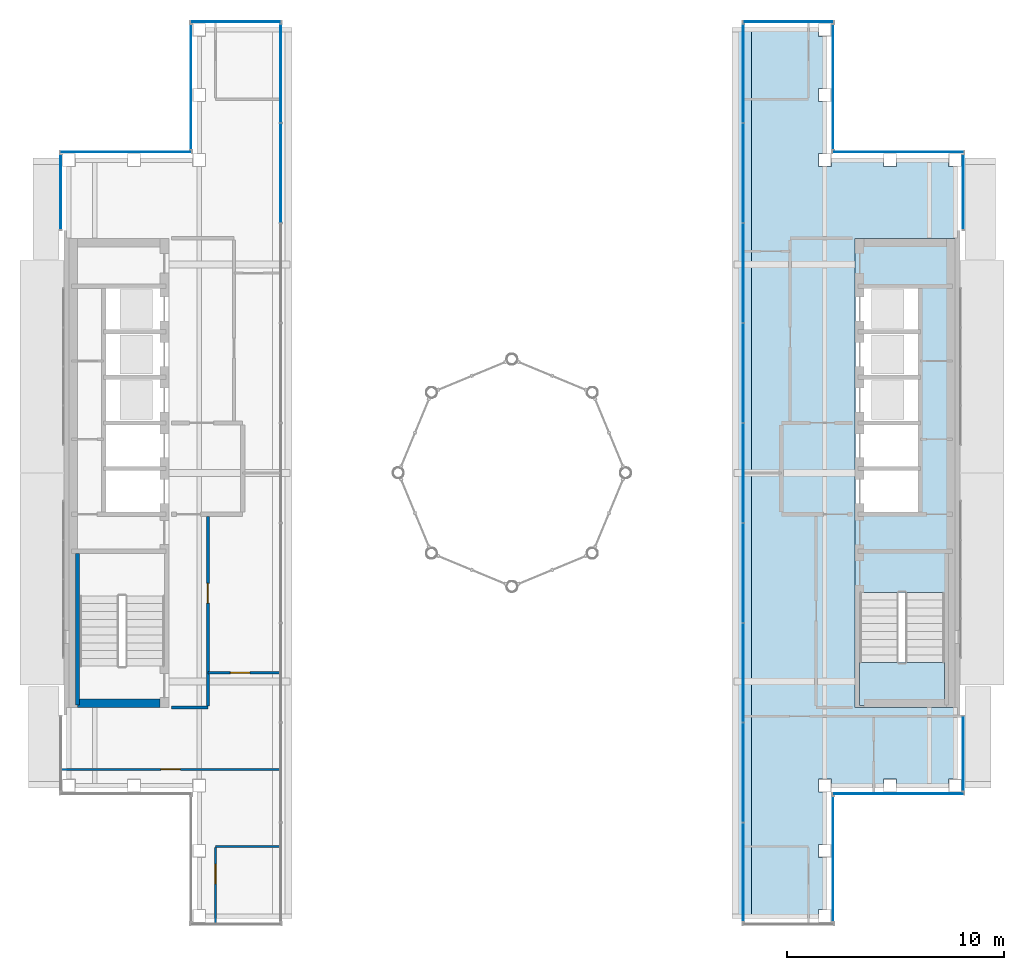
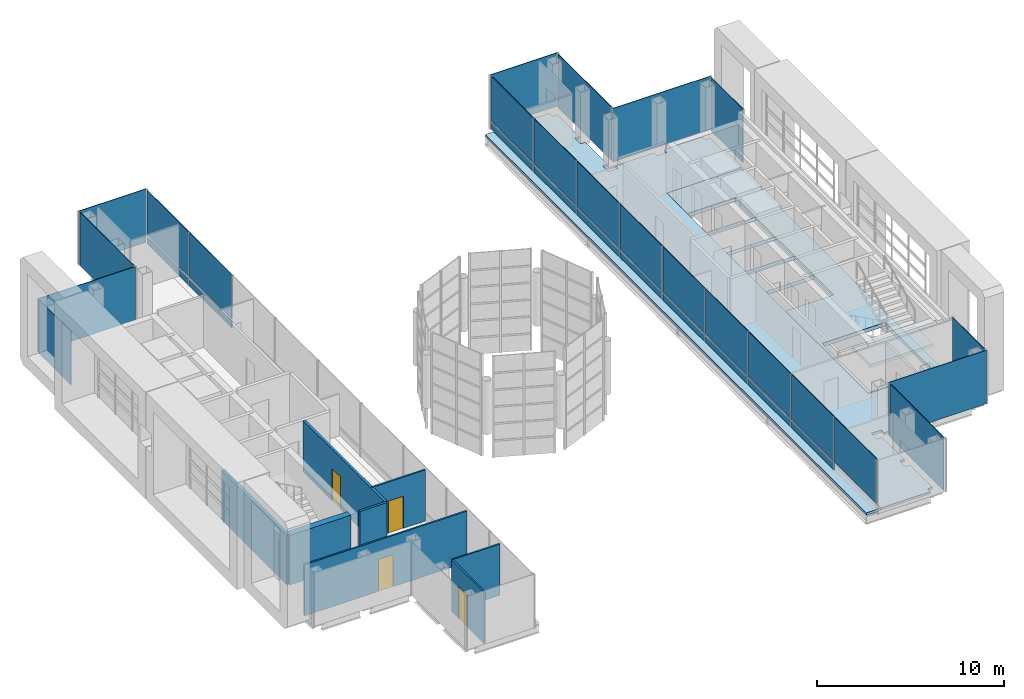
# One storey, part 12 of 21: 32 plates, 8 walls, 4 doors, 4 slabs, 4 openings, 14 elements without a shape of their own.
"""IFC4 building model written with IfcOpenShell, lengths in metres."""

from ifc_helpers import new_model, si_unit, direction, frame, frame_2d, origin, origin_2d, place, context, subcontext, project, spatial, polyline, rectangle, outline, extrude, material, layer, layer_set, type_object, element, fill, aggregate, save


model = new_model("IFC4")

# Units and contexts
model_context = context("Model", 3, precision=1e-05, world=origin(), true_north=direction((0.0, 1.0)))
body_context = subcontext(model_context, "Body", "Model", "MODEL_VIEW")
ifc_project = project(units=[si_unit("LENGTHUNIT", "METRE"), si_unit("AREAUNIT", "SQUARE_METRE"), si_unit("VOLUMEUNIT", "CUBIC_METRE"), si_unit("PLANEANGLEUNIT", "RADIAN"), si_unit("MASSUNIT", "GRAM", prefix="KILO")], contexts=[model_context])

# Site, building, storey
site_placement = place(None, origin())
site = spatial("IfcSite", under=ifc_project, at=site_placement, CompositionType="ELEMENT")
building_placement = place(site_placement, origin())
building = spatial("IfcBuilding", under=site, at=building_placement, Name="Cobrizo Arcos Hotel Tower", CompositionType="ELEMENT")
storey_placement = place(building_placement, frame((0.0, 0.0, 283.0)))
storey = spatial("IfcBuildingStorey", under=building, at=storey_placement, Name="L75", CompositionType="ELEMENT", Elevation=283.0)

# Curtain wall, plate
ifc_material_1 = material(Name="Aluminium 6063-T6 anodised bronze", Category="aluminium")
curtain_wall_type_1 = type_object("IfcCurtainWallType", Name="CW-A guest facade", PredefinedType="NOTDEFINED", material=ifc_material_1)
curtain_wall_1_placement = place(storey_placement, origin())
curtain_wall_1 = element("IfcCurtainWall", 1, at=curtain_wall_1_placement, inside=storey, type_object=curtain_wall_type_1, Name="CW-A L75 N face", PredefinedType="NOTDEFINED")
ifc_material_2 = material(Name="Aluminium composite panel pale metal", Category="aluminium")
ifc_layer_1 = layer(ifc_material_2, 0.0400390625)
ifc_layer_set_1 = layer_set([ifc_layer_1], Name="CW-A spandrel panel")
plate_type_1 = type_object("IfcPlateType", Name="CW-A spandrel panel", PredefinedType="CURTAIN_PANEL", material=ifc_layer_set_1)
plate_1_placement = place(storey_placement, frame((12.712890625, 20.77490234375, 0.0), z_axis=(0.0, 0.0, 1.0), x_axis=(-1.0, 0.0, 0.0)))
plate_1 = element("IfcPlate", 2, at=plate_1_placement, type_object=plate_type_1, Name="CW-A spandrel panel 2358", PredefinedType="CURTAIN_PANEL", context=body_context, shape_type="SweptSolid", body=[
    extrude(rectangle(XDim=4.154052734375, YDim=0.0400390625, at=origin_2d()), origin(), (0.0, 0.0, 1.0), 3.5),
])
aggregate(curtain_wall_1, [plate_1])

curtain_wall_2_placement = place(storey_placement, origin())
curtain_wall_2 = element("IfcCurtainWall", 3, at=curtain_wall_2_placement, inside=storey, type_object=curtain_wall_type_1, Name="CW-A L75 E face", PredefinedType="NOTDEFINED")
plate_2_placement = place(storey_placement, frame((14.77490234375, -17.77490234375, 0.0), z_axis=(0.0, 0.0, 1.0), x_axis=(0.0, 1.0, 0.0)))
plate_2 = element("IfcPlate", 4, at=plate_2_placement, type_object=plate_type_1, Name="CW-A spandrel panel 2369", PredefinedType="CURTAIN_PANEL", context=body_context, shape_type="SweptSolid", body=[
    extrude(rectangle(XDim=5.72998046875, YDim=0.0400390625, at=origin_2d()), origin(), (0.0, 0.0, 1.0), 3.5),
])
aggregate(curtain_wall_2, [plate_2])

curtain_wall_3_placement = place(storey_placement, origin())
curtain_wall_3 = element("IfcCurtainWall", 5, at=curtain_wall_3_placement, inside=storey, type_object=curtain_wall_type_1, Name="CW-A L75 S face", PredefinedType="NOTDEFINED")
plate_3_placement = place(storey_placement, frame((17.77490234375, -14.77490234375, 0.0), z_axis=(0.0, 0.0, 1.0), x_axis=(1.0, 0.0, 0.0)))
plate_3 = element("IfcPlate", 6, at=plate_3_placement, type_object=plate_type_1, Name="CW-A spandrel panel 2370", PredefinedType="CURTAIN_PANEL", context=body_context, shape_type="SweptSolid", body=[
    extrude(rectangle(XDim=6.030029296875, YDim=0.0400390625, at=origin_2d()), origin(), (0.0, 0.0, 1.0), 3.5),
])
aggregate(curtain_wall_3, [plate_3])

curtain_wall_4_placement = place(storey_placement, origin())
curtain_wall_4 = element("IfcCurtainWall", 7, at=curtain_wall_4_placement, inside=storey, type_object=curtain_wall_type_1, Name="CW-A L75 E face", PredefinedType="NOTDEFINED")
plate_4_placement = place(storey_placement, frame((20.77490234375, -12.925048828125, 0.0), z_axis=(0.0, 0.0, 1.0), x_axis=(0.0, 1.0, 0.0)))
plate_4 = element("IfcPlate", 8, at=plate_4_placement, type_object=plate_type_1, Name="CW-A spandrel panel 2371", PredefinedType="CURTAIN_PANEL", context=body_context, shape_type="SweptSolid", body=[
    extrude(rectangle(XDim=3.429931640625, YDim=0.0400390625, at=origin_2d()), origin(), (0.0, 0.0, 1.0), 3.5),
])
aggregate(curtain_wall_4, [plate_4])

curtain_wall_5_placement = place(storey_placement, origin())
curtain_wall_5 = element("IfcCurtainWall", 9, at=curtain_wall_5_placement, inside=storey, type_object=curtain_wall_type_1, Name="CW-A L75 E face", PredefinedType="NOTDEFINED")
plate_5_placement = place(storey_placement, frame((20.77490234375, 12.925048828125, 0.0), z_axis=(0.0, 0.0, 1.0), x_axis=(0.0, 1.0, 0.0)))
plate_5 = element("IfcPlate", 10, at=plate_5_placement, type_object=plate_type_1, Name="CW-A spandrel panel 2372", PredefinedType="CURTAIN_PANEL", context=body_context, shape_type="SweptSolid", body=[
    extrude(rectangle(XDim=3.429931640625, YDim=0.0400390625, at=origin_2d()), origin(), (0.0, 0.0, 1.0), 3.5),
])
aggregate(curtain_wall_5, [plate_5])

curtain_wall_6_placement = place(storey_placement, origin())
curtain_wall_6 = element("IfcCurtainWall", 11, at=curtain_wall_6_placement, inside=storey, type_object=curtain_wall_type_1, Name="CW-A L75 N face", PredefinedType="NOTDEFINED")
plate_6_placement = place(storey_placement, frame((17.77490234375, 14.77490234375, 0.0), z_axis=(0.0, 0.0, 1.0), x_axis=(-1.0, 0.0, 0.0)))
plate_6 = element("IfcPlate", 12, at=plate_6_placement, type_object=plate_type_1, Name="CW-A spandrel panel 2373", PredefinedType="CURTAIN_PANEL", context=body_context, shape_type="SweptSolid", body=[
    extrude(rectangle(XDim=6.030029296875, YDim=0.0400390625, at=origin_2d()), origin(), (0.0, 0.0, 1.0), 3.5),
])
aggregate(curtain_wall_6, [plate_6])

curtain_wall_7_placement = place(storey_placement, origin())
curtain_wall_7 = element("IfcCurtainWall", 13, at=curtain_wall_7_placement, inside=storey, type_object=curtain_wall_type_1, Name="CW-A L75 E face", PredefinedType="NOTDEFINED")
plate_7_placement = place(storey_placement, frame((14.77490234375, 17.77490234375, 0.0), z_axis=(0.0, 0.0, 1.0), x_axis=(0.0, 1.0, 0.0)))
plate_7 = element("IfcPlate", 14, at=plate_7_placement, type_object=plate_type_1, Name="CW-A spandrel panel 2374", PredefinedType="CURTAIN_PANEL", context=body_context, shape_type="SweptSolid", body=[
    extrude(rectangle(XDim=5.72998046875, YDim=0.0400390625, at=origin_2d()), origin(), (0.0, 0.0, 1.0), 3.5),
])
aggregate(curtain_wall_7, [plate_7])

curtain_wall_8_placement = place(storey_placement, origin())
curtain_wall_8 = element("IfcCurtainWall", 15, at=curtain_wall_8_placement, inside=storey, type_object=curtain_wall_type_1, Name="CW-A L75 N face", PredefinedType="NOTDEFINED")
plate_8_placement = place(storey_placement, frame((-12.712890625, 20.77490234375, 0.0), z_axis=(0.0, 0.0, 1.0), x_axis=(-1.0, 0.0, 0.0)))
plate_8 = element("IfcPlate", 16, at=plate_8_placement, type_object=plate_type_1, Name="CW-A spandrel panel 2385", PredefinedType="CURTAIN_PANEL", context=body_context, shape_type="SweptSolid", body=[
    extrude(rectangle(XDim=4.154052734375, YDim=0.0400390625, at=origin_2d()), origin(), (0.0, 0.0, 1.0), 3.5),
])
aggregate(curtain_wall_8, [plate_8])

curtain_wall_9_placement = place(storey_placement, origin())
curtain_wall_9 = element("IfcCurtainWall", 17, at=curtain_wall_9_placement, inside=storey, type_object=curtain_wall_type_1, Name="CW-A L75 W face", PredefinedType="NOTDEFINED")
plate_9_placement = place(storey_placement, frame((-14.77490234375, 17.77490234375, 0.0), z_axis=(0.0, 0.0, 1.0), x_axis=(0.0, -1.0, 0.0)))
plate_9 = element("IfcPlate", 18, at=plate_9_placement, type_object=plate_type_1, Name="CW-A spandrel panel 2386", PredefinedType="CURTAIN_PANEL", context=body_context, shape_type="SweptSolid", body=[
    extrude(rectangle(XDim=5.72998046875, YDim=0.0400390625, at=origin_2d()), origin(), (0.0, 0.0, 1.0), 3.5),
])
aggregate(curtain_wall_9, [plate_9])

curtain_wall_10_placement = place(storey_placement, origin())
curtain_wall_10 = element("IfcCurtainWall", 19, at=curtain_wall_10_placement, inside=storey, type_object=curtain_wall_type_1, Name="CW-A L75 N face", PredefinedType="NOTDEFINED")
plate_10_placement = place(storey_placement, frame((-17.77490234375, 14.77490234375, 0.0), z_axis=(0.0, 0.0, 1.0), x_axis=(-1.0, 0.0, 0.0)))
plate_10 = element("IfcPlate", 20, at=plate_10_placement, type_object=plate_type_1, Name="CW-A spandrel panel 2387", PredefinedType="CURTAIN_PANEL", context=body_context, shape_type="SweptSolid", body=[
    extrude(rectangle(XDim=6.030029296875, YDim=0.0400390625, at=origin_2d()), origin(), (0.0, 0.0, 1.0), 3.5),
])
aggregate(curtain_wall_10, [plate_10])

curtain_wall_11_placement = place(storey_placement, origin())
curtain_wall_11 = element("IfcCurtainWall", 21, at=curtain_wall_11_placement, inside=storey, type_object=curtain_wall_type_1, Name="CW-A L75 W face", PredefinedType="NOTDEFINED")
plate_11_placement = place(storey_placement, frame((-20.77490234375, 12.925048828125, 0.0), z_axis=(0.0, 0.0, 1.0), x_axis=(0.0, -1.0, 0.0)))
plate_11 = element("IfcPlate", 22, at=plate_11_placement, type_object=plate_type_1, Name="CW-A spandrel panel 2388", PredefinedType="CURTAIN_PANEL", context=body_context, shape_type="SweptSolid", body=[
    extrude(rectangle(XDim=3.429931640625, YDim=0.0400390625, at=origin_2d()), origin(), (0.0, 0.0, 1.0), 3.5),
])
aggregate(curtain_wall_11, [plate_11])

# Curtain wall, plates
curtain_wall_type_2 = type_object("IfcCurtainWallType", Name="CW-C arch infill and crown glazing", PredefinedType="NOTDEFINED", material=ifc_material_1)
curtain_wall_12_placement = place(storey_placement, origin())
curtain_wall_12 = element("IfcCurtainWall", 23, at=curtain_wall_12_placement, inside=storey, type_object=curtain_wall_type_2, Name="CW-C L75 W face", PredefinedType="NOTDEFINED")
ifc_material_3 = material(Name="Glass clear laminated low-e", Category="glass")
ifc_layer_2 = layer(ifc_material_3, 0.0400390625)
ifc_layer_set_2 = layer_set([ifc_layer_2], Name="CW-C glass panel")
plate_type_2 = type_object("IfcPlateType", Name="CW-C glass panel", PredefinedType="CURTAIN_PANEL", material=ifc_layer_set_2)
plate_12_placement = place(storey_placement, frame((10.65087890625, 18.382568359375, 0.0), z_axis=(0.0, 0.0, 1.0), x_axis=(0.0, -1.0, 0.0)))
plate_12 = element("IfcPlate", 24, at=plate_12_placement, type_object=plate_type_2, Name="CW-C glass panel 2359", PredefinedType="CURTAIN_PANEL", context=body_context, shape_type="SweptSolid", body=[
    extrude(rectangle(XDim=4.4951171875, YDim=0.0400390625, at=origin_2d()), origin(), (0.0, 0.0, 1.0), 0.429931640625),
])
plate_13_placement = place(storey_placement, frame((10.65087890625, 18.382568359375, 0.56982421875), z_axis=(0.0, 0.0, 1.0), x_axis=(0.0, -1.0, 0.0)))
plate_13 = element("IfcPlate", 25, at=plate_13_placement, type_object=plate_type_2, Name="CW-C glass panel 2359", PredefinedType="CURTAIN_PANEL", context=body_context, shape_type="SweptSolid", body=[
    extrude(rectangle(XDim=4.4951171875, YDim=0.0400390625, at=origin_2d()), origin(), (0.0, 0.0, 1.0), 2.929931640625),
])
plate_14_placement = place(storey_placement, frame((10.65087890625, 13.800048828125, 0.0), z_axis=(0.0, 0.0, 1.0), x_axis=(0.0, -1.0, 0.0)))
plate_14 = element("IfcPlate", 26, at=plate_14_placement, type_object=plate_type_2, Name="CW-C glass panel 2360", PredefinedType="CURTAIN_PANEL", context=body_context, shape_type="SweptSolid", body=[
    extrude(rectangle(XDim=4.530029296875, YDim=0.0400390625, at=origin_2d()), origin(), (0.0, 0.0, 1.0), 0.429931640625),
])
plate_15_placement = place(storey_placement, frame((10.65087890625, 13.800048828125, 0.56982421875), z_axis=(0.0, 0.0, 1.0), x_axis=(0.0, -1.0, 0.0)))
plate_15 = element("IfcPlate", 27, at=plate_15_placement, type_object=plate_type_2, Name="CW-C glass panel 2360", PredefinedType="CURTAIN_PANEL", context=body_context, shape_type="SweptSolid", body=[
    extrude(rectangle(XDim=4.530029296875, YDim=0.0400390625, at=origin_2d()), origin(), (0.0, 0.0, 1.0), 2.929931640625),
])
plate_16_placement = place(storey_placement, frame((10.65087890625, 9.199951171875, 0.0), z_axis=(0.0, 0.0, 1.0), x_axis=(0.0, -1.0, 0.0)))
plate_16 = element("IfcPlate", 28, at=plate_16_placement, type_object=plate_type_2, Name="CW-C glass panel 2361", PredefinedType="CURTAIN_PANEL", context=body_context, shape_type="SweptSolid", body=[
    extrude(rectangle(XDim=4.530029296875, YDim=0.0400390625, at=origin_2d()), origin(), (0.0, 0.0, 1.0), 0.429931640625),
])
plate_17_placement = place(storey_placement, frame((10.65087890625, 9.199951171875, 0.56982421875), z_axis=(0.0, 0.0, 1.0), x_axis=(0.0, -1.0, 0.0)))
plate_17 = element("IfcPlate", 29, at=plate_17_placement, type_object=plate_type_2, Name="CW-C glass panel 2361", PredefinedType="CURTAIN_PANEL", context=body_context, shape_type="SweptSolid", body=[
    extrude(rectangle(XDim=4.530029296875, YDim=0.0400390625, at=origin_2d()), origin(), (0.0, 0.0, 1.0), 2.929931640625),
])
plate_18_placement = place(storey_placement, frame((10.65087890625, 4.60009765625, 0.0), z_axis=(0.0, 0.0, 1.0), x_axis=(0.0, -1.0, 0.0)))
plate_18 = element("IfcPlate", 30, at=plate_18_placement, type_object=plate_type_2, Name="CW-C glass panel 2362", PredefinedType="CURTAIN_PANEL", context=body_context, shape_type="SweptSolid", body=[
    extrude(rectangle(XDim=4.530029296875, YDim=0.0400390625, at=origin_2d()), origin(), (0.0, 0.0, 1.0), 0.429931640625),
])
plate_19_placement = place(storey_placement, frame((10.65087890625, 4.60009765625, 0.56982421875), z_axis=(0.0, 0.0, 1.0), x_axis=(0.0, -1.0, 0.0)))
plate_19 = element("IfcPlate", 31, at=plate_19_placement, type_object=plate_type_2, Name="CW-C glass panel 2362", PredefinedType="CURTAIN_PANEL", context=body_context, shape_type="SweptSolid", body=[
    extrude(rectangle(XDim=4.530029296875, YDim=0.0400390625, at=origin_2d()), origin(), (0.0, 0.0, 1.0), 2.929931640625),
])
plate_20_placement = place(storey_placement, frame((10.65087890625, 0.0, 0.0), z_axis=(0.0, 0.0, 1.0), x_axis=(0.0, -1.0, 0.0)))
plate_20 = element("IfcPlate", 32, at=plate_20_placement, type_object=plate_type_2, Name="CW-C glass panel 2363", PredefinedType="CURTAIN_PANEL", context=body_context, shape_type="SweptSolid", body=[
    extrude(rectangle(XDim=4.530029296875, YDim=0.0400390625, at=origin_2d()), origin(), (0.0, 0.0, 1.0), 0.429931640625),
])
plate_21_placement = place(storey_placement, frame((10.65087890625, 0.0, 0.56982421875), z_axis=(0.0, 0.0, 1.0), x_axis=(0.0, -1.0, 0.0)))
plate_21 = element("IfcPlate", 33, at=plate_21_placement, type_object=plate_type_2, Name="CW-C glass panel 2363", PredefinedType="CURTAIN_PANEL", context=body_context, shape_type="SweptSolid", body=[
    extrude(rectangle(XDim=4.530029296875, YDim=0.0400390625, at=origin_2d()), origin(), (0.0, 0.0, 1.0), 2.929931640625),
])
plate_22_placement = place(storey_placement, frame((10.65087890625, -4.60009765625, 0.0), z_axis=(0.0, 0.0, 1.0), x_axis=(0.0, -1.0, 0.0)))
plate_22 = element("IfcPlate", 34, at=plate_22_placement, type_object=plate_type_2, Name="CW-C glass panel 2364", PredefinedType="CURTAIN_PANEL", context=body_context, shape_type="SweptSolid", body=[
    extrude(rectangle(XDim=4.530029296875, YDim=0.0400390625, at=origin_2d()), origin(), (0.0, 0.0, 1.0), 0.429931640625),
])
plate_23_placement = place(storey_placement, frame((10.65087890625, -4.60009765625, 0.56982421875), z_axis=(0.0, 0.0, 1.0), x_axis=(0.0, -1.0, 0.0)))
plate_23 = element("IfcPlate", 35, at=plate_23_placement, type_object=plate_type_2, Name="CW-C glass panel 2364", PredefinedType="CURTAIN_PANEL", context=body_context, shape_type="SweptSolid", body=[
    extrude(rectangle(XDim=4.530029296875, YDim=0.0400390625, at=origin_2d()), origin(), (0.0, 0.0, 1.0), 2.929931640625),
])
plate_24_placement = place(storey_placement, frame((10.65087890625, -9.199951171875, 0.0), z_axis=(0.0, 0.0, 1.0), x_axis=(0.0, -1.0, 0.0)))
plate_24 = element("IfcPlate", 36, at=plate_24_placement, type_object=plate_type_2, Name="CW-C glass panel 2365", PredefinedType="CURTAIN_PANEL", context=body_context, shape_type="SweptSolid", body=[
    extrude(rectangle(XDim=4.530029296875, YDim=0.0400390625, at=origin_2d()), origin(), (0.0, 0.0, 1.0), 0.429931640625),
])
plate_25_placement = place(storey_placement, frame((10.65087890625, -9.199951171875, 0.56982421875), z_axis=(0.0, 0.0, 1.0), x_axis=(0.0, -1.0, 0.0)))
plate_25 = element("IfcPlate", 37, at=plate_25_placement, type_object=plate_type_2, Name="CW-C glass panel 2365", PredefinedType="CURTAIN_PANEL", context=body_context, shape_type="SweptSolid", body=[
    extrude(rectangle(XDim=4.530029296875, YDim=0.0400390625, at=origin_2d()), origin(), (0.0, 0.0, 1.0), 2.929931640625),
])
plate_26_placement = place(storey_placement, frame((10.65087890625, -13.800048828125, 0.0), z_axis=(0.0, 0.0, 1.0), x_axis=(0.0, -1.0, 0.0)))
plate_26 = element("IfcPlate", 38, at=plate_26_placement, type_object=plate_type_2, Name="CW-C glass panel 2366", PredefinedType="CURTAIN_PANEL", context=body_context, shape_type="SweptSolid", body=[
    extrude(rectangle(XDim=4.530029296875, YDim=0.0400390625, at=origin_2d()), origin(), (0.0, 0.0, 1.0), 0.429931640625),
])
plate_27_placement = place(storey_placement, frame((10.65087890625, -13.800048828125, 0.56982421875), z_axis=(0.0, 0.0, 1.0), x_axis=(0.0, -1.0, 0.0)))
plate_27 = element("IfcPlate", 39, at=plate_27_placement, type_object=plate_type_2, Name="CW-C glass panel 2366", PredefinedType="CURTAIN_PANEL", context=body_context, shape_type="SweptSolid", body=[
    extrude(rectangle(XDim=4.530029296875, YDim=0.0400390625, at=origin_2d()), origin(), (0.0, 0.0, 1.0), 2.929931640625),
])
plate_28_placement = place(storey_placement, frame((10.65087890625, -18.382568359375, 0.56982421875), z_axis=(0.0, 0.0, 1.0), x_axis=(0.0, -1.0, 0.0)))
plate_28 = element("IfcPlate", 40, at=plate_28_placement, type_object=plate_type_2, Name="CW-C glass panel 2367", PredefinedType="CURTAIN_PANEL", context=body_context, shape_type="SweptSolid", body=[
    extrude(rectangle(XDim=4.4951171875, YDim=0.0400390625, at=origin_2d()), origin(), (0.0, 0.0, 1.0), 2.929931640625),
])
aggregate(curtain_wall_12, [plate_12, plate_13, plate_14, plate_15, plate_16, plate_17, plate_18, plate_19, plate_20, plate_21, plate_22, plate_23, plate_24, plate_25, plate_26, plate_27, plate_28])

curtain_wall_13_placement = place(storey_placement, origin())
curtain_wall_13 = element("IfcCurtainWall", 41, at=curtain_wall_13_placement, inside=storey, type_object=curtain_wall_type_2, Name="CW-C L75 E face", PredefinedType="NOTDEFINED")
plate_29_placement = place(storey_placement, frame((-10.65087890625, 13.800048828125, 0.0), z_axis=(0.0, 0.0, 1.0), x_axis=(0.0, 1.0, 0.0)))
plate_29 = element("IfcPlate", 42, at=plate_29_placement, type_object=plate_type_2, Name="CW-C glass panel 2383", PredefinedType="CURTAIN_PANEL", context=body_context, shape_type="SweptSolid", body=[
    extrude(rectangle(XDim=4.530029296875, YDim=0.0400390625, at=origin_2d()), origin(), (0.0, 0.0, 1.0), 0.429931640625),
])
plate_30_placement = place(storey_placement, frame((-10.65087890625, 13.800048828125, 0.56982421875), z_axis=(0.0, 0.0, 1.0), x_axis=(0.0, 1.0, 0.0)))
plate_30 = element("IfcPlate", 43, at=plate_30_placement, type_object=plate_type_2, Name="CW-C glass panel 2383", PredefinedType="CURTAIN_PANEL", context=body_context, shape_type="SweptSolid", body=[
    extrude(rectangle(XDim=4.530029296875, YDim=0.0400390625, at=origin_2d()), origin(), (0.0, 0.0, 1.0), 2.929931640625),
])
plate_31_placement = place(storey_placement, frame((-10.65087890625, 18.382568359375, 0.0), z_axis=(0.0, 0.0, 1.0), x_axis=(0.0, 1.0, 0.0)))
plate_31 = element("IfcPlate", 44, at=plate_31_placement, type_object=plate_type_2, Name="CW-C glass panel 2384", PredefinedType="CURTAIN_PANEL", context=body_context, shape_type="SweptSolid", body=[
    extrude(rectangle(XDim=4.4951171875, YDim=0.0400390625, at=origin_2d()), origin(), (0.0, 0.0, 1.0), 0.429931640625),
])
plate_32_placement = place(storey_placement, frame((-10.65087890625, 18.382568359375, 0.56982421875), z_axis=(0.0, 0.0, 1.0), x_axis=(0.0, 1.0, 0.0)))
plate_32 = element("IfcPlate", 45, at=plate_32_placement, type_object=plate_type_2, Name="CW-C glass panel 2384", PredefinedType="CURTAIN_PANEL", context=body_context, shape_type="SweptSolid", body=[
    extrude(rectangle(XDim=4.4951171875, YDim=0.0400390625, at=origin_2d()), origin(), (0.0, 0.0, 1.0), 2.929931640625),
])
aggregate(curtain_wall_13, [plate_29, plate_30, plate_31, plate_32])

# Slabs
ifc_material_4 = material(Name="Concrete f'c 35 MPa", Category="concrete")
ifc_layer_3 = layer(ifc_material_4, 0.14990234375)
ifc_layer_set_3 = layer_set([ifc_layer_3], Name="Composite floor slab 150 f'c 35")
slab_type_1 = type_object("IfcSlabType", Name="Composite floor slab 150 f'c 35", PredefinedType="FLOOR", material=ifc_layer_set_3)
slab_1_placement = place(storey_placement, frame((0.0, 0.0, -0.14990234375)))
element("IfcSlab", 46, at=slab_1_placement, inside=storey, type_object=slab_type_1, Name="Floor slab S5, L75, no. 02", PredefinedType="FLOOR", context=body_context, shape_type="SweptSolid", body=[
    extrude(outline(polyline([(14.39990234375, 17.699951171875), (14.10009765625, 17.699951171875), (14.10009765625, 17.10009765625), (14.39990234375, 17.10009765625), (14.39990234375, 14.699951171875), (14.10009765625, 14.699951171875), (14.10009765625, 14.10009765625), (14.699951171875, 14.10009765625), (14.699951171875, 14.39990234375), (17.10009765625, 14.39990234375), (17.10009765625, 14.10009765625), (17.699951171875, 14.10009765625), (17.699951171875, 14.39990234375), (20.10009765625, 14.39990234375), (20.10009765625, 14.10009765625), (20.39990234375, 14.10009765625), (20.39990234375, 10.800048828125), (15.800048828125, 10.800048828125), (15.800048828125, -10.800048828125), (20.39990234375, -10.800048828125), (20.39990234375, -14.10009765625), (20.10009765625, -14.10009765625), (20.10009765625, -14.39990234375), (17.699951171875, -14.39990234375), (17.699951171875, -14.10009765625), (17.10009765625, -14.10009765625), (17.10009765625, -14.39990234375), (14.699951171875, -14.39990234375), (14.699951171875, -14.10009765625), (14.10009765625, -14.10009765625), (14.10009765625, -14.699951171875), (14.39990234375, -14.699951171875), (14.39990234375, -17.10009765625), (14.10009765625, -17.10009765625), (14.10009765625, -17.699951171875), (14.39990234375, -17.699951171875), (14.39990234375, -20.10009765625), (14.10009765625, -20.10009765625), (14.10009765625, -20.39990234375), (11.02587890625, -20.39990234375), (11.02587890625, 20.39990234375), (14.10009765625, 20.39990234375), (14.10009765625, 20.10009765625), (14.39990234375, 20.10009765625), (14.39990234375, 17.699951171875)])), origin(), (0.0, 0.0, 1.0), 0.14990234375),
])
ifc_material_5 = material(Name="Concrete f'c 40 MPa", Category="concrete")
ifc_layer_4 = layer(ifc_material_5, 0.25)
ifc_layer_set_4 = layer_set([ifc_layer_4], Name="RC core floor slab 250 f'c 40")
slab_type_2 = type_object("IfcSlabType", Name="RC core floor slab 250 f'c 40", PredefinedType="FLOOR", material=ifc_layer_set_4)
slab_2_placement = place(storey_placement, frame((0.0, 0.0, -0.25)))
element("IfcSlab", 47, at=slab_2_placement, inside=storey, type_object=slab_type_2, Name="Core floor slab CS7, east core, L75", PredefinedType="FLOOR", context=body_context, shape_type="SweptSolid", body=[
    extrude(outline(polyline([(15.800048828125, 10.800048828125), (20.39990234375, 10.800048828125), (20.39990234375, -10.800048828125), (15.800048828125, -10.800048828125), (15.800048828125, 10.800048828125)]), holes=[polyline([(19.89794921875, -10.697998046875), (19.89794921875, -5.501953125), (16.001953125, -5.501953125), (16.001953125, -10.697998046875), (19.89794921875, -10.697998046875)]), polyline([(15.802001953125, 0.197998046875), (15.802001953125, -1.89794921875), (18.798095703125, -1.89794921875), (18.798095703125, 0.197998046875), (15.802001953125, 0.197998046875)]), polyline([(15.802001953125, 2.298095703125), (15.802001953125, 0.201904296875), (18.798095703125, 0.201904296875), (18.798095703125, 2.298095703125), (15.802001953125, 2.298095703125)]), polyline([(15.802001953125, 4.39794921875), (15.802001953125, 2.302001953125), (18.798095703125, 2.302001953125), (18.798095703125, 4.39794921875), (15.802001953125, 4.39794921875)]), polyline([(18.798095703125, 6.498046875), (15.802001953125, 6.498046875), (15.802001953125, 4.402099609375), (18.798095703125, 4.402099609375), (18.798095703125, 6.498046875)]), polyline([(18.798095703125, 8.597900390625), (15.802001953125, 8.597900390625), (15.802001953125, 6.501953125), (18.798095703125, 6.501953125), (18.798095703125, 8.597900390625)])]), origin(), (0.0, 0.0, 1.0), 0.25),
])
ifc_layer_5 = layer(ifc_material_4, 0.14990234375)
ifc_layer_set_5 = layer_set([ifc_layer_5], Name="RC roof slab 150 f'c 35")
slab_type_3 = type_object("IfcSlabType", Name="RC roof slab 150 f'c 35", PredefinedType="ROOF", material=ifc_layer_set_5)
slab_3_placement = place(storey_placement, frame((0.0, 0.0, -0.14990234375)))
element("IfcSlab", 48, at=slab_3_placement, inside=storey, type_object=slab_type_3, Name="Roof slab RS5, L75, no. 02", PredefinedType="ROOF", context=body_context, shape_type="SweptSolid", body=[
    extrude(outline(polyline([(11.02587890625, 20.39990234375), (11.02587890625, -20.39990234375), (10.1279296875, -20.39990234375), (10.1279296875, 20.39990234375), (11.02587890625, 20.39990234375)])), origin(), (0.0, 0.0, 1.0), 0.14990234375),
])

# Stair, slab
stair_type = type_object("IfcStairType", Name="Exit stair", PredefinedType="HALF_TURN_STAIR", material=ifc_material_5)
stair_placement = place(storey_placement, origin())
stair = element("IfcStair", 49, at=stair_placement, inside=storey, type_object=stair_type, Name="L75 Exit stair ST-E", PredefinedType="HALF_TURN_STAIR")
ifc_layer_6 = layer(ifc_material_5, 0.199951171875)
ifc_layer_set_6 = layer_set([ifc_layer_6], Name="Stair landing")
slab_type_4 = type_object("IfcSlabType", Name="Stair landing", PredefinedType="LANDING", material=ifc_layer_set_6)
slab_4_placement = place(storey_placement, frame((0.0, 0.0, 1.550048828125)))
slab_4 = element("IfcSlab", 50, at=slab_4_placement, type_object=slab_type_4, Name="ST-E landing 1", PredefinedType="LANDING", context=body_context, shape_type="SweptSolid", body=[
    extrude(outline(polyline([(16.0, -8.739990234375), (16.0, -10.699951171875), (19.89990234375, -10.699951171875), (19.89990234375, -8.739990234375), (16.0, -8.739990234375)])), origin(), (0.0, 0.0, 1.0), 0.199951171875),
])
aggregate(stair, [slab_4])

# Wall
ifc_material_6 = material(Name="Gypsum board partition")
ifc_layer_7 = layer(ifc_material_6, 0.14990234375)
ifc_layer_set_7 = layer_set([ifc_layer_7], Name="Corridor wall EI 60 150")
wall_type_1 = type_object("IfcWallType", Name="Corridor wall EI 60 150", PredefinedType="PARTITIONING", material=ifc_layer_set_7)
wall_1_placement = place(storey_placement, frame((-15.679931640625, -10.800048828125, 0.0), z_axis=(0.0, 0.0, 1.0), x_axis=(1.0, 0.0, 0.0)))
element("IfcWall", 51, at=wall_1_placement, inside=storey, type_object=wall_type_1, Name="Partition 005", PredefinedType="PARTITIONING", context=body_context, shape_type="SweptSolid", body=[
    extrude(rectangle(XDim=1.679931640625, YDim=0.14990234375, at=frame_2d((0.83984375, 0.0))), origin(), (0.0, 0.0, 1.0), 3.35009765625),
])

# Wall, opening, door
wall_2_placement = place(storey_placement, frame((-14.0, -10.72509765625, 0.0), z_axis=(0.0, 0.0, 1.0), x_axis=(0.0, 1.0, 0.0)))
wall_2 = element("IfcWall", 52, at=wall_2_placement, inside=storey, type_object=wall_type_1, Name="Partition 040", PredefinedType="PARTITIONING", context=body_context, shape_type="SweptSolid", body=[
    extrude(rectangle(XDim=8.72509765625, YDim=0.14990234375, at=frame_2d((4.362548828125, 0.0))), origin(), (0.0, 0.0, 1.0), 3.35009765625),
])
opening_1_placement = place(wall_2_placement, frame((4.735107421875, 0.0, 0.0)))
opening_1 = element("IfcOpeningElement", 53, at=opening_1_placement, cuts=wall_2, Name="Opening RD-14", PredefinedType="OPENING", context=body_context, shape_type="SweptSolid", body=[
    extrude(rectangle(XDim=0.89990234375, YDim=2.10009765625, at=frame_2d((0.449951171875, 1.050048828125))), frame((0.0, 0.0869140625, 0.0), z_axis=(0.0, -1.0, 0.0), x_axis=(1.0, 0.0, 0.0)), (0.0, 0.0, 1.0), 0.173828125),
])
ifc_material_7 = material(Name="Timber door leaf", Category="wood")
door_type_1 = type_object("IfcDoorType", Name="Room door FD30 900x2100", OperationType="SINGLE_SWING_LEFT", PredefinedType="DOOR", material=ifc_material_7)
door_1_placement = place(opening_1_placement, origin())
door_1 = element("IfcDoor", 54, at=door_1_placement, inside=storey, type_object=door_type_1, Name="Door RD-14", OperationType="SINGLE_SWING_LEFT", OverallHeight=2.10009765625, OverallWidth=0.89990234375, PredefinedType="DOOR", context=body_context, shape_type="SweptSolid", body=[
    extrude(rectangle(XDim=0.89990234375, YDim=2.10009765625, at=frame_2d((0.449951171875, 1.050048828125))), frame((0.0, 0.02490234375, 0.0), z_axis=(0.0, -1.0, 0.0), x_axis=(1.0, 0.0, 0.0)), (0.0, 0.0, 1.0), 0.050048828125),
])
fill(opening_1, door_1)

# Wall
ifc_layer_8 = layer(ifc_material_6, 0.10009765625)
ifc_layer_set_8 = layer_set([ifc_layer_8], Name="Partition EI 30 100")
wall_type_2 = type_object("IfcWallType", Name="Partition EI 30 100", PredefinedType="PARTITIONING", material=ifc_layer_set_8)
wall_3_placement = place(storey_placement, frame((-13.64990234375, -17.199951171875, 0.0), z_axis=(0.0, 0.0, 1.0), x_axis=(1.0, 0.0, 0.0)))
element("IfcWall", 55, at=wall_3_placement, inside=storey, type_object=wall_type_2, Name="Partition 001", PredefinedType="PARTITIONING", context=body_context, shape_type="SweptSolid", body=[
    extrude(rectangle(XDim=2.953857421875, YDim=0.10009765625, at=frame_2d((1.47705078125, 0.0))), origin(), (0.0, 0.0, 1.0), 3.35009765625),
])

# Wall, opening, door
wall_4_placement = place(storey_placement, frame((-20.72998046875, -13.64990234375, 0.0), z_axis=(0.0, 0.0, 1.0), x_axis=(1.0, 0.0, 0.0)))
wall_4 = element("IfcWall", 56, at=wall_4_placement, inside=storey, type_object=wall_type_2, Name="Partition 003", PredefinedType="PARTITIONING", context=body_context, shape_type="SweptSolid", body=[
    extrude(rectangle(XDim=10.033935546875, YDim=0.10009765625, at=frame_2d((5.01708984375, 0.0))), origin(), (0.0, 0.0, 1.0), 3.35009765625),
])
opening_2_placement = place(wall_4_placement, frame((4.56689453125, 0.0, 0.0)))
opening_2 = element("IfcOpeningElement", 57, at=opening_2_placement, cuts=wall_4, Name="Opening RD-15", PredefinedType="OPENING", context=body_context, shape_type="SweptSolid", body=[
    extrude(rectangle(XDim=0.89990234375, YDim=2.10009765625, at=frame_2d((0.449951171875, 1.050048828125))), frame((0.0, 0.06201171875, 0.0), z_axis=(0.0, -1.0, 0.0), x_axis=(1.0, 0.0, 0.0)), (0.0, 0.0, 1.0), 0.1240234375),
])
door_2_placement = place(opening_2_placement, origin())
door_2 = element("IfcDoor", 58, at=door_2_placement, inside=storey, type_object=door_type_1, Name="Door RD-15", OperationType="SINGLE_SWING_LEFT", OverallHeight=2.10009765625, OverallWidth=0.89990234375, PredefinedType="DOOR", context=body_context, shape_type="SweptSolid", body=[
    extrude(rectangle(XDim=0.89990234375, YDim=2.10009765625, at=frame_2d((0.449951171875, 1.050048828125))), frame((0.0, 0.02490234375, 0.0), z_axis=(0.0, -1.0, 0.0), x_axis=(1.0, 0.0, 0.0)), (0.0, 0.0, 1.0), 0.050048828125),
])
fill(opening_2, door_2)

wall_5_placement = place(storey_placement, frame((-14.0, -9.199951171875, 0.0), z_axis=(0.0, 0.0, 1.0), x_axis=(1.0, 0.0, 0.0)))
wall_5 = element("IfcWall", 59, at=wall_5_placement, inside=storey, type_object=wall_type_2, Name="Partition 007", PredefinedType="PARTITIONING", context=body_context, shape_type="SweptSolid", body=[
    extrude(rectangle(XDim=3.303955078125, YDim=0.10009765625, at=frame_2d((1.65185546875, 0.0))), origin(), (0.0, 0.0, 1.0), 3.35009765625),
])
opening_3_placement = place(wall_5_placement, frame((1.037109375, 0.0, 0.0)))
opening_3 = element("IfcOpeningElement", 60, at=opening_3_placement, cuts=wall_5, Name="Opening RD-16", PredefinedType="OPENING", context=body_context, shape_type="SweptSolid", body=[
    extrude(rectangle(XDim=0.89990234375, YDim=2.10009765625, at=frame_2d((0.449951171875, 1.050048828125))), frame((0.0, 0.06201171875, 0.0), z_axis=(0.0, -1.0, 0.0), x_axis=(1.0, 0.0, 0.0)), (0.0, 0.0, 1.0), 0.1240234375),
])
door_3_placement = place(opening_3_placement, origin())
door_3 = element("IfcDoor", 61, at=door_3_placement, inside=storey, type_object=door_type_1, Name="Door RD-16", OperationType="SINGLE_SWING_LEFT", OverallHeight=2.10009765625, OverallWidth=0.89990234375, PredefinedType="DOOR", context=body_context, shape_type="SweptSolid", body=[
    extrude(rectangle(XDim=0.89990234375, YDim=2.10009765625, at=frame_2d((0.449951171875, 1.050048828125))), frame((0.0, 0.02490234375, 0.0), z_axis=(0.0, -1.0, 0.0), x_axis=(1.0, 0.0, 0.0)), (0.0, 0.0, 1.0), 0.050048828125),
])
fill(opening_3, door_3)

wall_6_placement = place(storey_placement, frame((-13.64990234375, -20.72998046875, 0.0), z_axis=(0.0, 0.0, 1.0), x_axis=(0.0, 1.0, 0.0)))
wall_6 = element("IfcWall", 62, at=wall_6_placement, inside=storey, type_object=wall_type_2, Name="Partition 041", PredefinedType="PARTITIONING", context=body_context, shape_type="SweptSolid", body=[
    extrude(rectangle(XDim=3.47998046875, YDim=0.10009765625, at=frame_2d((1.739990234375, 0.0))), origin(), (0.0, 0.0, 1.0), 3.35009765625),
])
opening_4_placement = place(wall_6_placement, frame((1.820068359375, 0.0, 0.0)))
opening_4 = element("IfcOpeningElement", 63, at=opening_4_placement, cuts=wall_6, Name="Opening ED-06", PredefinedType="OPENING", context=body_context, shape_type="SweptSolid", body=[
    extrude(rectangle(XDim=0.89990234375, YDim=2.10009765625, at=frame_2d((0.449951171875, 1.050048828125))), frame((0.0, 0.06201171875, 0.0), z_axis=(0.0, -1.0, 0.0), x_axis=(1.0, 0.0, 0.0)), (0.0, 0.0, 1.0), 0.1240234375),
])
door_type_2 = type_object("IfcDoorType", Name="En-suite door 900x2100", OperationType="SINGLE_SWING_LEFT", PredefinedType="DOOR", material=ifc_material_7)
door_4_placement = place(opening_4_placement, origin())
door_4 = element("IfcDoor", 64, at=door_4_placement, inside=storey, type_object=door_type_2, Name="Door ED-06", OperationType="SINGLE_SWING_RIGHT", OverallHeight=2.10009765625, OverallWidth=0.89990234375, PredefinedType="DOOR", context=body_context, shape_type="SweptSolid", body=[
    extrude(rectangle(XDim=0.89990234375, YDim=2.10009765625, at=frame_2d((0.449951171875, 1.050048828125))), frame((0.0, 0.02490234375, 0.0), z_axis=(0.0, -1.0, 0.0), x_axis=(1.0, 0.0, 0.0)), (0.0, 0.0, 1.0), 0.050048828125),
])
fill(opening_4, door_4)

# Walls
ifc_layer_9 = layer(ifc_material_5, 0.39990234375)
ifc_layer_set_9 = layer_set([ifc_layer_9], Name="RC core wall 400 f'c 40")
wall_type_3 = type_object("IfcWallType", Name="RC core wall 400 f'c 40", PredefinedType="SHEAR", material=ifc_layer_set_9)
wall_7_placement = place(storey_placement, frame((-20.0, -10.60009765625, 0.0), z_axis=(0.0, 0.0, 1.0), x_axis=(1.0, 0.0, 0.0)))
element("IfcWall", 65, at=wall_7_placement, inside=storey, type_object=wall_type_3, Name="Core wall CW4, west core, south end, L75", PredefinedType="SHEAR", context=body_context, shape_type="SweptSolid", body=[
    extrude(rectangle(XDim=3.800048828125, YDim=0.39990234375, at=frame_2d((1.89990234375, 0.0))), origin(), (0.0, 0.0, 1.0), 3.25),
])
ifc_layer_10 = layer(ifc_material_5, 0.199951171875)
ifc_layer_set_10 = layer_set([ifc_layer_10], Name="Stair shaft wall 200")
wall_type_4 = type_object("IfcWallType", Name="Stair shaft wall 200", PredefinedType="SHEAR", material=ifc_layer_set_10)
wall_8_placement = place(storey_placement, frame((-20.0, -10.679931640625, 0.0), z_axis=(0.0, 0.0, 1.0), x_axis=(0.0, 1.0, 0.0)))
element("IfcWall", 66, at=wall_8_placement, inside=storey, type_object=wall_type_4, Name="Stair shaft wall W", PredefinedType="SHEAR", context=body_context, shape_type="SweptSolid", body=[
    extrude(rectangle(XDim=6.97998046875, YDim=0.199951171875, at=frame_2d((3.489990234375, 0.0))), origin(), (0.0, 0.0, 1.0), 3.25),
])

save(model, "model.ifc")
